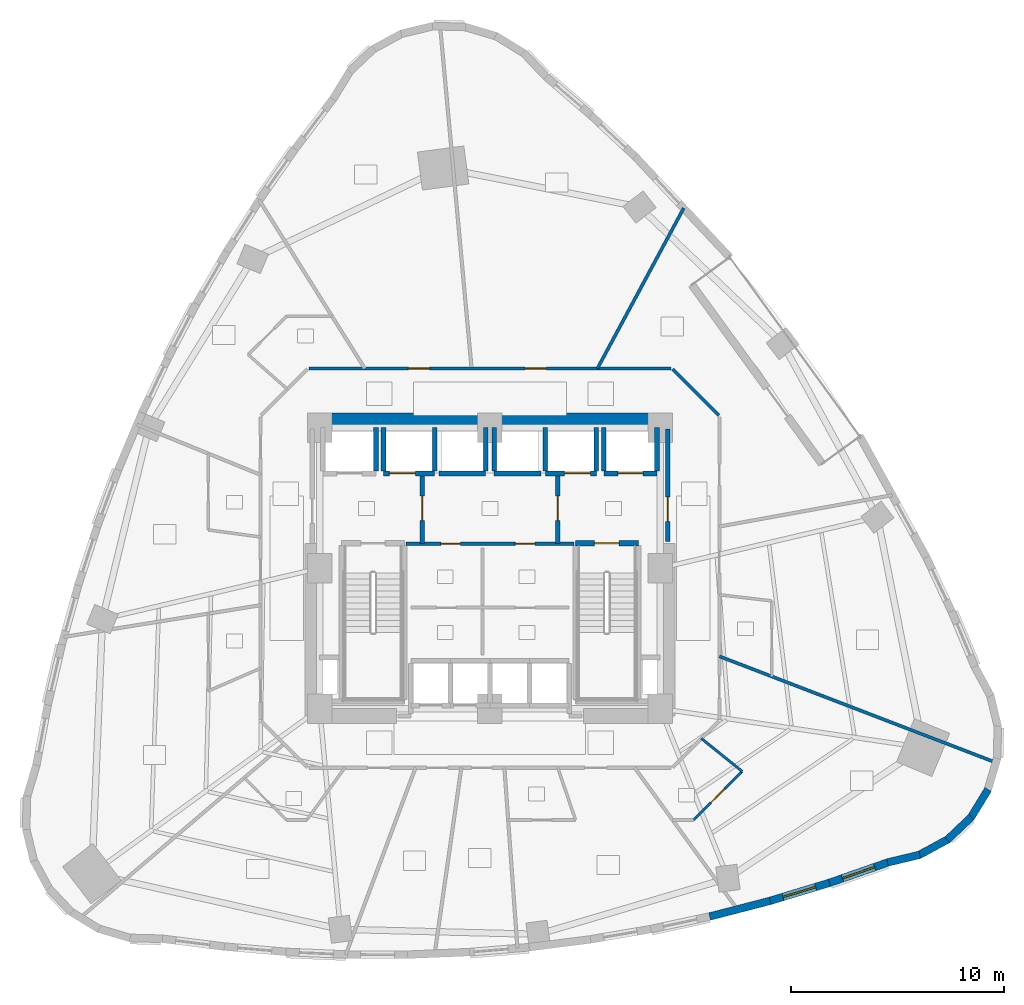
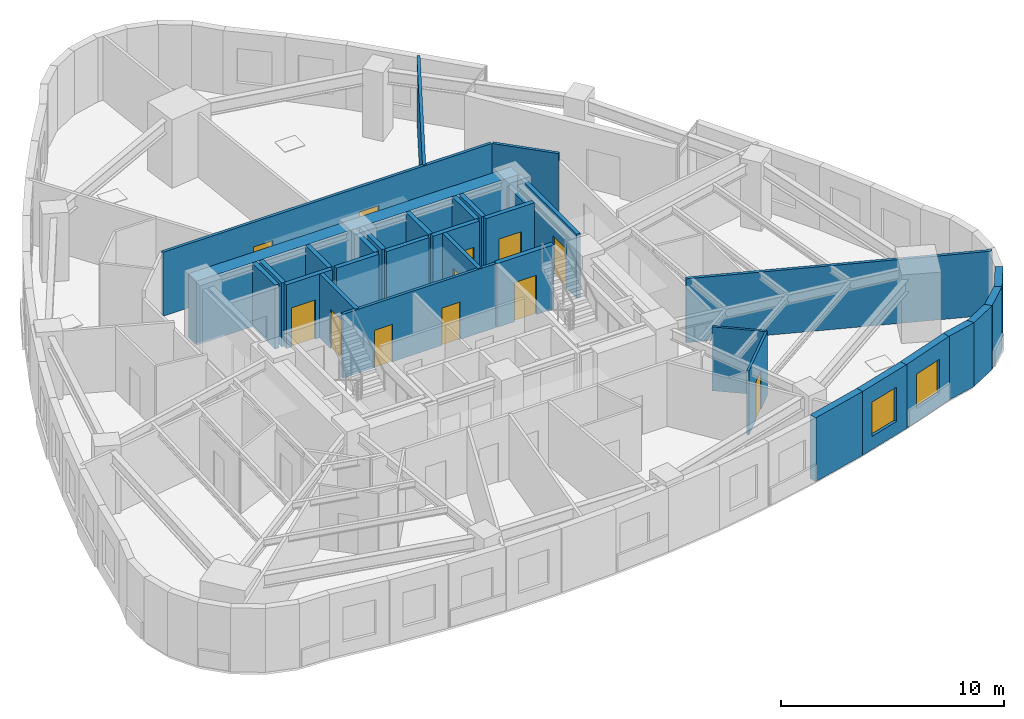
# One storey, part 10 of 15: 33 walls, 12 doors, 2 windows, 14 openings.
"""IFC4 building model written with IfcOpenShell, lengths in metres."""

from ifc_helpers import new_model, si_unit, direction, frame, frame_2d, origin, place, context, subcontext, project, spatial, rectangle, extrude, material, layer, layer_set, type_object, element, fill, save


model = new_model("IFC4")

# Units and contexts
model_context = context("Model", 3, precision=1e-05, world=origin(), true_north=direction((0.0, 1.0)))
body_context = subcontext(model_context, "Body", "Model", "MODEL_VIEW")
ifc_project = project(units=[si_unit("LENGTHUNIT", "METRE"), si_unit("AREAUNIT", "SQUARE_METRE"), si_unit("VOLUMEUNIT", "CUBIC_METRE"), si_unit("PLANEANGLEUNIT", "RADIAN"), si_unit("MASSUNIT", "GRAM", prefix="KILO")], contexts=[model_context])

# Site, building, storey
site_placement = place(None, origin())
site = spatial("IfcSite", under=ifc_project, at=site_placement, CompositionType="ELEMENT")
building_placement = place(site_placement, origin())
building = spatial("IfcBuilding", under=site, at=building_placement, Name="Ndelora Gate Hotel", CompositionType="ELEMENT")
storey_placement = place(building_placement, frame((0.0, 0.0, 53.0)))
storey = spatial("IfcBuildingStorey", under=building, at=storey_placement, Name="L12", CompositionType="ELEMENT", Elevation=53.0)

# Wall
ifc_material_1 = material(Name="Clay Brick Masonry", Category="masonry")
ifc_layer_1 = layer(ifc_material_1, 0.360107421875)
ifc_layer_set_1 = layer_set([ifc_layer_1], Name="Clay Brick Masonry")
wall_type_1 = type_object("IfcWallType", Name="WL-BRICK-360", PredefinedType="SOLIDWALL", material=ifc_layer_set_1)
wall_1_placement = place(storey_placement, frame((13.1669921875, -15.631591796875, 0.0), z_axis=(0.0, 0.0, 1.0), x_axis=(-0.968087209766, -0.250613555675, 0.0)))
element("IfcWall", 1, at=wall_1_placement, inside=storey, type_object=wall_type_1, Name="L12 Tower Brick Pier-and-Spandrel Wall TWR-38", PredefinedType="SOLIDWALL", context=body_context, shape_type="SweptSolid", body=[
    extrude(rectangle(XDim=2.94091796875, YDim=0.360107421875, at=frame_2d((1.470458984375, 0.0))), origin(), (0.0, 0.0, 1.0), 3.5),
])

# Wall, opening, window
wall_2_placement = place(storey_placement, frame((15.952392578125, -14.784912109375, 0.0), z_axis=(0.0, 0.0, 1.0), x_axis=(-0.956863387773, -0.290538219758, 0.0)))
wall_2 = element("IfcWall", 2, at=wall_2_placement, inside=storey, type_object=wall_type_1, Name="L12 Tower Brick Pier-and-Spandrel Wall TWR-39", PredefinedType="SOLIDWALL", context=body_context, shape_type="SweptSolid", body=[
    extrude(rectangle(XDim=2.961181640625, YDim=0.360107421875, at=frame_2d((1.48046875, 0.0))), origin(), (0.0, 0.0, 1.0), 3.5),
])
opening_1_placement = place(wall_2_placement, frame((0.6806640625, 0.0, 0.719970703125)))
opening_1 = element("IfcOpeningElement", 3, at=opening_1_placement, cuts=wall_2, Name="Opening W01", PredefinedType="OPENING", context=body_context, shape_type="SweptSolid", body=[
    extrude(rectangle(XDim=1.60009765625, YDim=1.8798828125, at=frame_2d((0.800048828125, 0.93994140625))), frame((0.0, 0.18994140625, 0.0), z_axis=(0.0, -1.0, 0.0), x_axis=(1.0, 0.0, 0.0)), (0.0, 0.0, 1.0), 0.380126953125),
])
ifc_material_2 = material(Name="Insulated Low-E Double Glazing in Bronze Aluminium Frame", Category="aluminium")
window_type = type_object("IfcWindowType", Name="WN-DEEP-1600", PartitioningType="SINGLE_PANEL", PredefinedType="WINDOW", material=ifc_material_2)
window_1_placement = place(opening_1_placement, origin())
window_1 = element("IfcWindow", 4, at=window_1_placement, inside=storey, type_object=window_type, Name="L12 Deep-Set Brick-Pier Window W01", OverallHeight=1.8798828125, OverallWidth=1.60009765625, PartitioningType="SINGLE_PANEL", PredefinedType="WINDOW", context=body_context, shape_type="SweptSolid", body=[
    extrude(rectangle(XDim=1.60009765625, YDim=1.8798828125, at=frame_2d((0.800048828125, 0.93994140625))), frame((0.0, 0.030029296875, 0.0), z_axis=(0.0, -1.0, 0.0), x_axis=(1.0, 0.0, 0.0)), (0.0, 0.0, 1.0), 0.06005859375),
])
fill(opening_1, window_1)

wall_3_placement = place(storey_placement, frame((18.72509765625, -13.816650390625, 0.0), z_axis=(0.0, 0.0, 1.0), x_axis=(-0.944210822491, -0.329341650404, 0.0)))
wall_3 = element("IfcWall", 5, at=wall_3_placement, inside=storey, type_object=wall_type_1, Name="L12 Tower Brick Pier-and-Spandrel Wall TWR-40", PredefinedType="SOLIDWALL", context=body_context, shape_type="SweptSolid", body=[
    extrude(rectangle(XDim=2.986572265625, YDim=0.360107421875, at=frame_2d((1.4931640625, 0.0))), origin(), (0.0, 0.0, 1.0), 3.5),
])
opening_2_placement = place(wall_3_placement, frame((0.693603515625, 0.0, 0.719970703125)))
opening_2 = element("IfcOpeningElement", 6, at=opening_2_placement, cuts=wall_3, Name="Opening W01", PredefinedType="OPENING", context=body_context, shape_type="SweptSolid", body=[
    extrude(rectangle(XDim=1.60009765625, YDim=1.8798828125, at=frame_2d((0.800048828125, 0.93994140625))), frame((0.0, 0.18994140625, 0.0), z_axis=(0.0, -1.0, 0.0), x_axis=(1.0, 0.0, 0.0)), (0.0, 0.0, 1.0), 0.380126953125),
])
window_2_placement = place(opening_2_placement, origin())
window_2 = element("IfcWindow", 7, at=window_2_placement, inside=storey, type_object=window_type, Name="L12 Deep-Set Brick-Pier Window W01", OverallHeight=1.8798828125, OverallWidth=1.60009765625, PartitioningType="SINGLE_PANEL", PredefinedType="WINDOW", context=body_context, shape_type="SweptSolid", body=[
    extrude(rectangle(XDim=1.60009765625, YDim=1.8798828125, at=frame_2d((0.800048828125, 0.93994140625))), frame((0.0, 0.030029296875, 0.0), z_axis=(0.0, -1.0, 0.0), x_axis=(1.0, 0.0, 0.0)), (0.0, 0.0, 1.0), 0.06005859375),
])
fill(opening_2, window_2)

# Walls
for number, where, z_axis, x_axis, name in (
    (8, (20.1982421875, -13.465576171875, 0.0), (0.0, 0.0, 1.0), (-0.972394385461, -0.233343435998, 0.0), "L12 Tower Brick Pier-and-Spandrel Wall TWR-41"),
    (9, (21.526611328125, -12.737060546875, 0.0), (0.0, 0.0, 1.0), (-0.87890765181, -0.476991970153, 0.0), "L12 Tower Brick Pier-and-Spandrel Wall TWR-42"),
):
    element("IfcWall", number, at=place(storey_placement, frame(where, z_axis=z_axis, x_axis=x_axis)), inside=storey, type_object=wall_type_1, Name=name, PredefinedType="SOLIDWALL", context=body_context, shape_type="SweptSolid", body=[
        extrude(rectangle(XDim=1.564208984375, YDim=0.360107421875, at=frame_2d((0.7822265625, 0.0))), origin(), (0.0, 0.0, 1.0), 3.5),
    ])
for number, where, z_axis, x_axis, name in (
    (10, (22.620849609375, -11.689453125, 0.0), (0.0, 0.0, 1.0), (-0.725361771345, -0.688367852729, 0.0), "L12 Tower Brick Pier-and-Spandrel Wall TWR-43"),
    (11, (23.406982421875, -10.394287109375, 0.0), (0.0, 0.0, 1.0), (-0.522598660144, -0.852578817714, 0.0), "L12 Tower Brick Pier-and-Spandrel Wall TWR-44"),
):
    element("IfcWall", number, at=place(storey_placement, frame(where, z_axis=z_axis, x_axis=x_axis)), inside=storey, type_object=wall_type_1, Name=name, PredefinedType="SOLIDWALL", context=body_context, shape_type="SweptSolid", body=[
        extrude(rectangle(XDim=1.56396484375, YDim=0.360107421875, at=frame_2d((0.781982421875, 0.0))), origin(), (0.0, 0.0, 1.0), 3.5),
    ])
ifc_material_3 = material(Name="Concrete C60/75", Category="concrete")
ifc_layer_2 = layer(ifc_material_3, 0.699951171875)
ifc_layer_set_2 = layer_set([ifc_layer_2], Name="Concrete C60/75")
wall_type_2 = type_object("IfcWallType", Name="WL-CORE-700", PredefinedType="SHEAR", material=ifc_layer_set_2)
wall_4_placement = place(storey_placement, frame((-8.35009765625, 6.949951171875, 0.0), z_axis=(0.0, 0.0, 1.0), x_axis=(1.0, 0.0, 0.0)))
element("IfcWall", 12, at=wall_4_placement, inside=storey, type_object=wall_type_2, Name="L12 Core Shear Wall N", PredefinedType="SHEAR", context=body_context, shape_type="SweptSolid", body=[
    extrude(rectangle(XDim=16.7001953125, YDim=0.699951171875, at=frame_2d((8.35009765625, 0.0))), origin(), (0.0, 0.0, 1.0), 3.5),
])

# Wall, opening, door
ifc_material_4 = material(Name="Concrete C40/50", Category="concrete")
ifc_layer_3 = layer(ifc_material_4, 0.199951171875)
ifc_layer_set_3 = layer_set([ifc_layer_3], Name="Concrete C40/50")
wall_type_3 = type_object("IfcWallType", Name="WL-FIRE-200", PredefinedType="PARTITIONING", material=ifc_layer_set_3)
wall_5_placement = place(storey_placement, frame((-3.179931640625, 1.14990234375, 0.0), z_axis=(0.0, 0.0, 1.0), x_axis=(0.0, 1.0, 0.0)))
wall_5 = element("IfcWall", 13, at=wall_5_placement, inside=storey, type_object=wall_type_3, Name="L12 Interior Wall IW-2", PredefinedType="PARTITIONING", context=body_context, shape_type="SweptSolid", body=[
    extrude(rectangle(XDim=3.300048828125, YDim=0.199951171875, at=frame_2d((1.64990234375, 0.0))), origin(), (0.0, 0.0, 1.0), 3.5),
])
opening_3_placement = place(wall_5_placement, frame((1.080078125, 0.0, 0.0)))
opening_3 = element("IfcOpeningElement", 14, at=opening_3_placement, cuts=wall_5, Name="Opening FD1", PredefinedType="OPENING", context=body_context, shape_type="SweptSolid", body=[
    extrude(rectangle(XDim=1.14990234375, YDim=2.14990234375, at=frame_2d((0.574951171875, 1.074951171875))), frame((0.0, 0.10986328125, 0.0), z_axis=(0.0, -1.0, 0.0), x_axis=(1.0, 0.0, 0.0)), (0.0, 0.0, 1.0), 0.219970703125),
])
ifc_material_5 = material(Name="Fire-Rated Timber-Veneer Steel Core", Category="steel")
door_type_1 = type_object("IfcDoorType", Name="DR-FD60", OperationType="SINGLE_SWING_LEFT", PredefinedType="DOOR", material=ifc_material_5)
door_1_placement = place(opening_3_placement, origin())
door_1 = element("IfcDoor", 15, at=door_1_placement, inside=storey, type_object=door_type_1, Name="L12 Firefighting Lobby West Door", OperationType="SINGLE_SWING_RIGHT", OverallHeight=2.14990234375, OverallWidth=1.14990234375, PredefinedType="DOOR", context=body_context, shape_type="SweptSolid", body=[
    extrude(rectangle(XDim=1.14990234375, YDim=2.14990234375, at=frame_2d((0.574951171875, 1.074951171875))), frame((0.0, 0.02490234375, 0.0), z_axis=(0.0, -1.0, 0.0), x_axis=(1.0, 0.0, 0.0)), (0.0, 0.0, 1.0), 0.050048828125),
])
fill(opening_3, door_1)

wall_6_placement = place(storey_placement, frame((3.179931640625, 1.14990234375, 0.0), z_axis=(0.0, 0.0, 1.0), x_axis=(0.0, 1.0, 0.0)))
wall_6 = element("IfcWall", 16, at=wall_6_placement, inside=storey, type_object=wall_type_3, Name="L12 Interior Wall IW-2", PredefinedType="PARTITIONING", context=body_context, shape_type="SweptSolid", body=[
    extrude(rectangle(XDim=3.300048828125, YDim=0.199951171875, at=frame_2d((1.64990234375, 0.0))), origin(), (0.0, 0.0, 1.0), 3.5),
])
opening_4_placement = place(wall_6_placement, frame((1.080078125, 0.0, 0.0)))
opening_4 = element("IfcOpeningElement", 17, at=opening_4_placement, cuts=wall_6, Name="Opening FD1", PredefinedType="OPENING", context=body_context, shape_type="SweptSolid", body=[
    extrude(rectangle(XDim=1.14990234375, YDim=2.14990234375, at=frame_2d((0.574951171875, 1.074951171875))), frame((0.0, 0.10986328125, 0.0), z_axis=(0.0, -1.0, 0.0), x_axis=(1.0, 0.0, 0.0)), (0.0, 0.0, 1.0), 0.219970703125),
])
door_2_placement = place(opening_4_placement, origin())
door_2 = element("IfcDoor", 18, at=door_2_placement, inside=storey, type_object=door_type_1, Name="L12 Firefighting Lobby East Door", OperationType="SINGLE_SWING_LEFT", OverallHeight=2.14990234375, OverallWidth=1.14990234375, PredefinedType="DOOR", context=body_context, shape_type="SweptSolid", body=[
    extrude(rectangle(XDim=1.14990234375, YDim=2.14990234375, at=frame_2d((0.574951171875, 1.074951171875))), frame((0.0, 0.02490234375, 0.0), z_axis=(0.0, -1.0, 0.0), x_axis=(1.0, 0.0, 0.0)), (0.0, 0.0, 1.0), 0.050048828125),
])
fill(opening_4, door_2)

wall_7_placement = place(storey_placement, frame((8.35009765625, 1.25, 0.0), z_axis=(0.0, 0.0, 1.0), x_axis=(0.0, 1.0, 0.0)))
wall_7 = element("IfcWall", 19, at=wall_7_placement, inside=storey, type_object=wall_type_3, Name="L12 Interior Wall IW-2", PredefinedType="PARTITIONING", context=body_context, shape_type="SweptSolid", body=[
    extrude(rectangle(XDim=5.300048828125, YDim=0.199951171875, at=frame_2d((2.64990234375, 0.0))), origin(), (0.0, 0.0, 1.0), 3.5),
])
opening_5_placement = place(wall_7_placement, frame((0.949951171875, 0.0, 0.0)))
opening_5 = element("IfcOpeningElement", 20, at=opening_5_placement, cuts=wall_7, Name="Opening FD1", PredefinedType="OPENING", context=body_context, shape_type="SweptSolid", body=[
    extrude(rectangle(XDim=1.14990234375, YDim=2.14990234375, at=frame_2d((0.574951171875, 1.074951171875))), frame((0.0, 0.10986328125, 0.0), z_axis=(0.0, -1.0, 0.0), x_axis=(1.0, 0.0, 0.0)), (0.0, 0.0, 1.0), 0.219970703125),
])
door_3_placement = place(opening_5_placement, origin())
door_3 = element("IfcDoor", 21, at=door_3_placement, inside=storey, type_object=door_type_1, Name="L12 Firefighting Lobby East Corridor Door", OperationType="SINGLE_SWING_RIGHT", OverallHeight=2.14990234375, OverallWidth=1.14990234375, PredefinedType="DOOR", context=body_context, shape_type="SweptSolid", body=[
    extrude(rectangle(XDim=1.14990234375, YDim=2.14990234375, at=frame_2d((0.574951171875, 1.074951171875))), frame((0.0, 0.02490234375, 0.0), z_axis=(0.0, -1.0, 0.0), x_axis=(1.0, 0.0, 0.0)), (0.0, 0.0, 1.0), 0.050048828125),
])
fill(opening_5, door_3)

# Wall, openings, doors
ifc_material_6 = material(Name="Fire-Rated Gypsum Stud Partition", Category="gypsum")
ifc_layer_4 = layer(ifc_material_6, 0.14990234375)
ifc_layer_set_4 = layer_set([ifc_layer_4], Name="Fire-Rated Gypsum Stud Partition")
wall_type_4 = type_object("IfcWallType", Name="WL-PART-150", PredefinedType="PARTITIONING", material=ifc_layer_set_4)
wall_8_placement = place(storey_placement, frame((3.949951171875, 1.14990234375, 0.0), z_axis=(0.0, 0.0, 1.0), x_axis=(-1.0, 0.0, 0.0)))
wall_8 = element("IfcWall", 22, at=wall_8_placement, inside=storey, type_object=wall_type_4, Name="L12 Interior Wall IW-5", PredefinedType="PARTITIONING", context=body_context, shape_type="SweptSolid", body=[
    extrude(rectangle(XDim=7.89990234375, YDim=0.14990234375, at=frame_2d((3.949951171875, 0.0))), origin(), (0.0, 0.0, 1.0), 3.5),
])
opening_6_placement = place(wall_8_placement, frame((5.340087890625, 0.0, 0.0)))
opening_6 = element("IfcOpeningElement", 23, at=opening_6_placement, cuts=wall_8, Name="Opening D04", PredefinedType="OPENING", context=body_context, shape_type="SweptSolid", body=[
    extrude(rectangle(XDim=0.919921875, YDim=2.050048828125, at=frame_2d((0.4599609375, 1.02490234375))), frame((0.0, 0.0849609375, 0.0), z_axis=(0.0, -1.0, 0.0), x_axis=(1.0, 0.0, 0.0)), (0.0, 0.0, 1.0), 0.169921875),
])
opening_7_placement = place(wall_8_placement, frame((1.840087890625, 0.0, 0.0)))
opening_7 = element("IfcOpeningElement", 24, at=opening_7_placement, cuts=wall_8, Name="Opening D04", PredefinedType="OPENING", context=body_context, shape_type="SweptSolid", body=[
    extrude(rectangle(XDim=0.919921875, YDim=2.050048828125, at=frame_2d((0.4599609375, 1.02490234375))), frame((0.0, 0.0849609375, 0.0), z_axis=(0.0, -1.0, 0.0), x_axis=(1.0, 0.0, 0.0)), (0.0, 0.0, 1.0), 0.169921875),
])
ifc_material_7 = material(Name="Painted Steel Core Service Door", Category="steel")
door_type_2 = type_object("IfcDoorType", Name="DR-SER-920", OperationType="SINGLE_SWING_LEFT", PredefinedType="DOOR", material=ifc_material_7)
door_4_placement = place(opening_6_placement, origin())
door_4 = element("IfcDoor", 25, at=door_4_placement, inside=storey, type_object=door_type_2, Name="L12 Core Electrical Closet Door", OperationType="SINGLE_SWING_LEFT", OverallHeight=2.050048828125, OverallWidth=0.919921875, PredefinedType="DOOR", context=body_context, shape_type="SweptSolid", body=[
    extrude(rectangle(XDim=0.919921875, YDim=2.050048828125, at=frame_2d((0.4599609375, 1.02490234375))), frame((0.0, 0.02490234375, 0.0), z_axis=(0.0, -1.0, 0.0), x_axis=(1.0, 0.0, 0.0)), (0.0, 0.0, 1.0), 0.050048828125),
])
fill(opening_6, door_4)
door_5_placement = place(opening_7_placement, origin())
door_5 = element("IfcDoor", 26, at=door_5_placement, inside=storey, type_object=door_type_2, Name="L12 Comms Patching Store Door", OperationType="SINGLE_SWING_RIGHT", OverallHeight=2.050048828125, OverallWidth=0.919921875, PredefinedType="DOOR", context=body_context, shape_type="SweptSolid", body=[
    extrude(rectangle(XDim=0.919921875, YDim=2.050048828125, at=frame_2d((0.4599609375, 1.02490234375))), frame((0.0, 0.02490234375, 0.0), z_axis=(0.0, -1.0, 0.0), x_axis=(1.0, 0.0, 0.0)), (0.0, 0.0, 1.0), 0.050048828125),
])
fill(opening_7, door_5)

# Wall
wall_9_placement = place(storey_placement, frame((8.578369140625, 9.351806640625, 0.0), z_axis=(0.0, 0.0, 1.0), x_axis=(0.707067066127, -0.707146494016, 0.0)))
element("IfcWall", 27, at=wall_9_placement, inside=storey, type_object=wall_type_4, Name="L12 Interior Wall IW-5", PredefinedType="PARTITIONING", context=body_context, shape_type="SweptSolid", body=[
    extrude(rectangle(XDim=3.07373046875, YDim=0.14990234375, at=frame_2d((1.536865234375, 0.0))), origin(), (0.0, 0.0, 1.0), 3.5),
])

# Wall, openings, doors
wall_10_placement = place(storey_placement, frame((-8.510009765625, 9.3798828125, 0.0), z_axis=(0.0, 0.0, 1.0), x_axis=(1.0, 0.0, 0.0)))
wall_10 = element("IfcWall", 28, at=wall_10_placement, inside=storey, type_object=wall_type_4, Name="L12 Interior Wall IW-5", PredefinedType="PARTITIONING", context=body_context, shape_type="SweptSolid", body=[
    extrude(rectangle(XDim=17.02001953125, YDim=0.14990234375, at=frame_2d((8.510009765625, 0.0))), origin(), (0.0, 0.0, 1.0), 3.5),
])
opening_8_placement = place(wall_10_placement, frame((4.673583984375, 0.0, 0.0)))
opening_8 = element("IfcOpeningElement", 29, at=opening_8_placement, cuts=wall_10, Name="Opening D01", PredefinedType="OPENING", context=body_context, shape_type="SweptSolid", body=[
    extrude(rectangle(XDim=1.0, YDim=2.14990234375, at=frame_2d((0.5, 1.074951171875))), frame((0.0, 0.0849609375, 0.0), z_axis=(0.0, -1.0, 0.0), x_axis=(1.0, 0.0, 0.0)), (0.0, 0.0, 1.0), 0.169921875),
])
opening_9_placement = place(wall_10_placement, frame((10.1630859375, 0.0, 0.0)))
opening_9 = element("IfcOpeningElement", 30, at=opening_9_placement, cuts=wall_10, Name="Opening D01", PredefinedType="OPENING", context=body_context, shape_type="SweptSolid", body=[
    extrude(rectangle(XDim=1.0, YDim=2.14990234375, at=frame_2d((0.5, 1.074951171875))), frame((0.0, 0.0849609375, 0.0), z_axis=(0.0, -1.0, 0.0), x_axis=(1.0, 0.0, 0.0)), (0.0, 0.0, 1.0), 0.169921875),
])
ifc_material_8 = material(Name="Acoustic Hardwood Guest Entrance Door", Category="wood")
door_type_3 = type_object("IfcDoorType", Name="DR-COR-1000", OperationType="SINGLE_SWING_LEFT", PredefinedType="DOOR", material=ifc_material_8)
door_6_placement = place(opening_8_placement, origin())
door_6 = element("IfcDoor", 31, at=door_6_placement, inside=storey, type_object=door_type_3, Name="L12 Catering Service Kitchen Entrance Door", OperationType="SINGLE_SWING_LEFT", OverallHeight=2.14990234375, OverallWidth=1.0, PredefinedType="DOOR", context=body_context, shape_type="SweptSolid", body=[
    extrude(rectangle(XDim=1.0, YDim=2.14990234375, at=frame_2d((0.5, 1.074951171875))), frame((0.0, 0.02490234375, 0.0), z_axis=(0.0, -1.0, 0.0), x_axis=(1.0, 0.0, 0.0)), (0.0, 0.0, 1.0), 0.050048828125),
])
fill(opening_8, door_6)
door_7_placement = place(opening_9_placement, origin())
door_7 = element("IfcDoor", 32, at=door_7_placement, inside=storey, type_object=door_type_3, Name="L12 Private Dining Room Entrance Door", OperationType="SINGLE_SWING_LEFT", OverallHeight=2.14990234375, OverallWidth=1.0, PredefinedType="DOOR", context=body_context, shape_type="SweptSolid", body=[
    extrude(rectangle(XDim=1.0, YDim=2.14990234375, at=frame_2d((0.5, 1.074951171875))), frame((0.0, 0.02490234375, 0.0), z_axis=(0.0, -1.0, 0.0), x_axis=(1.0, 0.0, 0.0)), (0.0, 0.0, 1.0), 0.050048828125),
])
fill(opening_9, door_7)

# Walls
wall_11_placement = place(storey_placement, frame((10.780029296875, -4.14208984375, 0.0), z_axis=(0.0, 0.0, 1.0), x_axis=(0.933466701783, -0.358664072166, 0.0)))
element("IfcWall", 33, at=wall_11_placement, inside=storey, type_object=wall_type_4, Name="L12 Interior Wall IW-5", PredefinedType="PARTITIONING", context=body_context, shape_type="SweptSolid", body=[
    extrude(rectangle(XDim=13.91943359375, YDim=0.14990234375, at=frame_2d((6.959716796875, 0.0))), origin(), (0.0, 0.0, 1.0), 3.5),
])
wall_12_placement = place(storey_placement, frame((5.047607421875, 9.3798828125, 0.0), z_axis=(0.0, 0.0, 1.0), x_axis=(0.473842892952, 0.880609398541, 0.0)))
element("IfcWall", 34, at=wall_12_placement, inside=storey, type_object=wall_type_4, Name="L12 Interior Wall IW-5", PredefinedType="PARTITIONING", context=body_context, shape_type="SweptSolid", body=[
    extrude(rectangle(XDim=8.55712890625, YDim=0.14990234375, at=frame_2d((4.278564453125, 0.0))), origin(), (0.0, 0.0, 1.0), 3.5),
])
ifc_layer_5 = layer(ifc_material_4, 0.219970703125)
ifc_layer_set_5 = layer_set([ifc_layer_5], Name="Concrete C40/50")
wall_type_5 = type_object("IfcWallType", Name="WL-SHAFT-220", PredefinedType="PARTITIONING", material=ifc_layer_set_5)
wall_13_placement = place(storey_placement, frame((-5.35009765625, 4.570068359375, 0.0), z_axis=(0.0, 0.0, 1.0), x_axis=(0.0, 1.0, 0.0)))
element("IfcWall", 35, at=wall_13_placement, inside=storey, type_object=wall_type_5, Name="L12 Interior Wall IW-1", PredefinedType="PARTITIONING", context=body_context, shape_type="SweptSolid", body=[
    extrude(rectangle(XDim=2.030029296875, YDim=0.219970703125, at=frame_2d((1.01513671875, 0.0))), origin(), (0.0, 0.0, 1.0), 3.5),
])

# Wall, opening, door
wall_14_placement = place(storey_placement, frame((5.35009765625, 4.449951171875, 0.0), z_axis=(0.0, 0.0, 1.0), x_axis=(1.0, 0.0, 0.0)))
wall_14 = element("IfcWall", 36, at=wall_14_placement, inside=storey, type_object=wall_type_5, Name="L12 Interior Wall IW-1", PredefinedType="PARTITIONING", context=body_context, shape_type="SweptSolid", body=[
    extrude(rectangle(XDim=2.5, YDim=0.219970703125, at=frame_2d((1.25, 0.0))), origin(), (0.0, 0.0, 1.0), 3.5),
])
opening_10_placement = place(wall_14_placement, frame((0.659912109375, 0.0, 0.0)))
opening_10 = element("IfcOpeningElement", 37, at=opening_10_placement, cuts=wall_14, Name="Opening LD5", PredefinedType="OPENING", context=body_context, shape_type="SweptSolid", body=[
    extrude(rectangle(XDim=1.179931640625, YDim=2.14990234375, at=frame_2d((0.58984375, 1.074951171875))), frame((0.0, 0.1201171875, 0.0), z_axis=(0.0, -1.0, 0.0), x_axis=(1.0, 0.0, 0.0)), (0.0, 0.0, 1.0), 0.239990234375),
])
ifc_material_9 = material(Name="Firefighting Lift Stainless Sliding Landing Door", Category="metal")
door_type_4 = type_object("IfcDoorType", Name="DR-LD5", OperationType="DOUBLE_DOOR_SLIDING", PredefinedType="DOOR", material=ifc_material_9)
door_8_placement = place(opening_10_placement, origin())
door_8 = element("IfcDoor", 38, at=door_8_placement, inside=storey, type_object=door_type_4, Name="L12 Lift Landing Sliding Door FFL2", OperationType="DOUBLE_DOOR_SLIDING", OverallHeight=2.14990234375, OverallWidth=1.179931640625, PredefinedType="DOOR", context=body_context, shape_type="SweptSolid", body=[
    extrude(rectangle(XDim=1.179931640625, YDim=2.14990234375, at=frame_2d((0.58984375, 1.074951171875))), frame((0.0, 0.02490234375, 0.0), z_axis=(0.0, -1.0, 0.0), x_axis=(1.0, 0.0, 0.0)), (0.0, 0.0, 1.0), 0.050048828125),
])
fill(opening_10, door_8)

# Walls
wall_15_placement = place(storey_placement, frame((5.35009765625, 4.570068359375, 0.0), z_axis=(0.0, 0.0, 1.0), x_axis=(0.0, 1.0, 0.0)))
element("IfcWall", 39, at=wall_15_placement, inside=storey, type_object=wall_type_5, Name="L12 Interior Wall IW-1", PredefinedType="PARTITIONING", context=body_context, shape_type="SweptSolid", body=[
    extrude(rectangle(XDim=2.030029296875, YDim=0.219970703125, at=frame_2d((1.01513671875, 0.0))), origin(), (0.0, 0.0, 1.0), 3.5),
])
wall_16_placement = place(storey_placement, frame((7.85009765625, 4.570068359375, 0.0), z_axis=(0.0, 0.0, 1.0), x_axis=(0.0, 1.0, 0.0)))
element("IfcWall", 40, at=wall_16_placement, inside=storey, type_object=wall_type_5, Name="L12 Interior Wall IW-1", PredefinedType="PARTITIONING", context=body_context, shape_type="SweptSolid", body=[
    extrude(rectangle(XDim=2.030029296875, YDim=0.219970703125, at=frame_2d((1.01513671875, 0.0))), origin(), (0.0, 0.0, 1.0), 3.080078125),
])

# Wall, opening, door
wall_17_placement = place(storey_placement, frame((-5.0, 4.449951171875, 0.0), z_axis=(0.0, 0.0, 1.0), x_axis=(1.0, 0.0, 0.0)))
wall_17 = element("IfcWall", 41, at=wall_17_placement, inside=storey, type_object=wall_type_5, Name="L12 Interior Wall IW-1", PredefinedType="PARTITIONING", context=body_context, shape_type="SweptSolid", body=[
    extrude(rectangle(XDim=2.39990234375, YDim=0.219970703125, at=frame_2d((1.199951171875, 0.0))), origin(), (0.0, 0.0, 1.0), 3.5),
])
opening_11_placement = place(wall_17_placement, frame((0.280029296875, 0.0, 0.0)))
opening_11 = element("IfcOpeningElement", 42, at=opening_11_placement, cuts=wall_17, Name="Opening LD6", PredefinedType="OPENING", context=body_context, shape_type="SweptSolid", body=[
    extrude(rectangle(XDim=1.219970703125, YDim=2.14990234375, at=frame_2d((0.60986328125, 1.074951171875))), frame((0.0, 0.1201171875, 0.0), z_axis=(0.0, -1.0, 0.0), x_axis=(1.0, 0.0, 0.0)), (0.0, 0.0, 1.0), 0.239990234375),
])
ifc_material_10 = material(Name="Heavy-Duty Service Lift Sliding Landing Door", Category="wood")
door_type_5 = type_object("IfcDoorType", Name="DR-LD6", OperationType="DOUBLE_DOOR_SLIDING", PredefinedType="DOOR", material=ifc_material_10)
door_9_placement = place(opening_11_placement, origin())
door_9 = element("IfcDoor", 43, at=door_9_placement, inside=storey, type_object=door_type_5, Name="L12 Lift Landing Sliding Door SVL1", OperationType="DOUBLE_DOOR_SLIDING", OverallHeight=2.14990234375, OverallWidth=1.219970703125, PredefinedType="DOOR", context=body_context, shape_type="SweptSolid", body=[
    extrude(rectangle(XDim=1.219970703125, YDim=2.14990234375, at=frame_2d((0.60986328125, 1.074951171875))), frame((0.0, 0.02490234375, 0.0), z_axis=(0.0, -1.0, 0.0), x_axis=(1.0, 0.0, 0.0)), (0.0, 0.0, 1.0), 0.050048828125),
])
fill(opening_11, door_9)

# Walls
for number, where, z_axis, x_axis, name in (
    (44, (-5.0, 4.570068359375, 0.0), (0.0, 0.0, 1.0), (0.0, 1.0, 0.0), "L12 Interior Wall IW-1"),
    (45, (-2.60009765625, 4.570068359375, 0.0), (0.0, 0.0, 1.0), (0.0, 1.0, 0.0), "L12 Interior Wall IW-1"),
):
    element("IfcWall", number, at=place(storey_placement, frame(where, z_axis=z_axis, x_axis=x_axis)), inside=storey, type_object=wall_type_5, Name=name, PredefinedType="PARTITIONING", context=body_context, shape_type="SweptSolid", body=[
        extrude(rectangle(XDim=2.030029296875, YDim=0.219970703125, at=frame_2d((1.01513671875, 0.0))), origin(), (0.0, 0.0, 1.0), 3.5),
    ])

# Wall, opening, door
wall_18_placement = place(storey_placement, frame((2.60009765625, 4.449951171875, 0.0), z_axis=(0.0, 0.0, 1.0), x_axis=(1.0, 0.0, 0.0)))
wall_18 = element("IfcWall", 46, at=wall_18_placement, inside=storey, type_object=wall_type_5, Name="L12 Interior Wall IW-1", PredefinedType="PARTITIONING", context=body_context, shape_type="SweptSolid", body=[
    extrude(rectangle(XDim=2.39990234375, YDim=0.219970703125, at=frame_2d((1.199951171875, 0.0))), origin(), (0.0, 0.0, 1.0), 3.5),
])
opening_12_placement = place(wall_18_placement, frame((0.89990234375, 0.0, 0.0)))
opening_12 = element("IfcOpeningElement", 47, at=opening_12_placement, cuts=wall_18, Name="Opening LD6", PredefinedType="OPENING", context=body_context, shape_type="SweptSolid", body=[
    extrude(rectangle(XDim=1.219970703125, YDim=2.14990234375, at=frame_2d((0.60986328125, 1.074951171875))), frame((0.0, 0.1201171875, 0.0), z_axis=(0.0, -1.0, 0.0), x_axis=(1.0, 0.0, 0.0)), (0.0, 0.0, 1.0), 0.239990234375),
])
door_10_placement = place(opening_12_placement, origin())
door_10 = element("IfcDoor", 48, at=door_10_placement, inside=storey, type_object=door_type_5, Name="L12 Lift Landing Sliding Door SVL2", OperationType="DOUBLE_DOOR_SLIDING", OverallHeight=2.14990234375, OverallWidth=1.219970703125, PredefinedType="DOOR", context=body_context, shape_type="SweptSolid", body=[
    extrude(rectangle(XDim=1.219970703125, YDim=2.14990234375, at=frame_2d((0.60986328125, 1.074951171875))), frame((0.0, 0.02490234375, 0.0), z_axis=(0.0, -1.0, 0.0), x_axis=(1.0, 0.0, 0.0)), (0.0, 0.0, 1.0), 0.050048828125),
])
fill(opening_12, door_10)

# Walls
for number, where, z_axis, x_axis, name in (
    (49, (2.60009765625, 4.570068359375, 0.0), (0.0, 0.0, 1.0), (0.0, 1.0, 0.0), "L12 Interior Wall IW-1"),
    (50, (5.0, 4.570068359375, 0.0), (0.0, 0.0, 1.0), (0.0, 1.0, 0.0), "L12 Interior Wall IW-1"),
):
    element("IfcWall", number, at=place(storey_placement, frame(where, z_axis=z_axis, x_axis=x_axis)), inside=storey, type_object=wall_type_5, Name=name, PredefinedType="PARTITIONING", context=body_context, shape_type="SweptSolid", body=[
        extrude(rectangle(XDim=2.030029296875, YDim=0.219970703125, at=frame_2d((1.01513671875, 0.0))), origin(), (0.0, 0.0, 1.0), 3.5),
    ])
wall_19_placement = place(storey_placement, frame((-2.39990234375, 4.449951171875, 0.0), z_axis=(0.0, 0.0, 1.0), x_axis=(1.0, 0.0, 0.0)))
element("IfcWall", 51, at=wall_19_placement, inside=storey, type_object=wall_type_5, Name="L12 Interior Wall IW-1", PredefinedType="PARTITIONING", context=body_context, shape_type="SweptSolid", body=[
    extrude(rectangle(XDim=2.199951171875, YDim=0.219970703125, at=frame_2d((1.10009765625, 0.0))), origin(), (0.0, 0.0, 1.0), 3.5),
])
wall_20_placement = place(storey_placement, frame((-0.199951171875, 4.570068359375, 0.0), z_axis=(0.0, 0.0, 1.0), x_axis=(0.0, 1.0, 0.0)))
element("IfcWall", 52, at=wall_20_placement, inside=storey, type_object=wall_type_5, Name="L12 Interior Wall IW-1", PredefinedType="PARTITIONING", context=body_context, shape_type="SweptSolid", body=[
    extrude(rectangle(XDim=2.030029296875, YDim=0.219970703125, at=frame_2d((1.01513671875, 0.0))), origin(), (0.0, 0.0, 1.0), 3.5),
])
wall_21_placement = place(storey_placement, frame((0.199951171875, 4.449951171875, 0.0), z_axis=(0.0, 0.0, 1.0), x_axis=(1.0, 0.0, 0.0)))
element("IfcWall", 53, at=wall_21_placement, inside=storey, type_object=wall_type_5, Name="L12 Interior Wall IW-1", PredefinedType="PARTITIONING", context=body_context, shape_type="SweptSolid", body=[
    extrude(rectangle(XDim=2.199951171875, YDim=0.219970703125, at=frame_2d((1.10009765625, 0.0))), origin(), (0.0, 0.0, 1.0), 3.5),
])
wall_22_placement = place(storey_placement, frame((0.199951171875, 4.570068359375, 0.0), z_axis=(0.0, 0.0, 1.0), x_axis=(0.0, 1.0, 0.0)))
element("IfcWall", 54, at=wall_22_placement, inside=storey, type_object=wall_type_5, Name="L12 Interior Wall IW-1", PredefinedType="PARTITIONING", context=body_context, shape_type="SweptSolid", body=[
    extrude(rectangle(XDim=2.030029296875, YDim=0.219970703125, at=frame_2d((1.01513671875, 0.0))), origin(), (0.0, 0.0, 1.0), 3.5),
])

# Wall, opening, door
ifc_material_11 = material(Name="Concrete C50/60", Category="concrete")
ifc_layer_6 = layer(ifc_material_11, 0.239990234375)
ifc_layer_set_6 = layer_set([ifc_layer_6], Name="Concrete C50/60")
wall_type_6 = type_object("IfcWallType", Name="WL-STAIR-240", PredefinedType="SHEAR", material=ifc_layer_set_6)
wall_23_placement = place(storey_placement, frame((4.010009765625, 1.169921875, 0.0), z_axis=(0.0, 0.0, 1.0), x_axis=(1.0, 0.0, 0.0)))
wall_23 = element("IfcWall", 55, at=wall_23_placement, inside=storey, type_object=wall_type_6, Name="L12 Stair Core Shear Wall SW-ST", PredefinedType="SHEAR", context=body_context, shape_type="SweptSolid", body=[
    extrude(rectangle(XDim=2.9599609375, YDim=0.239990234375, at=frame_2d((1.47998046875, 0.0))), origin(), (0.0, 0.0, 1.0), 3.5),
])
opening_13_placement = place(wall_23_placement, frame((0.89990234375, 0.0, 0.0)))
opening_13 = element("IfcOpeningElement", 56, at=opening_13_placement, cuts=wall_23, Name="Opening FD1", PredefinedType="OPENING", context=body_context, shape_type="SweptSolid", body=[
    extrude(rectangle(XDim=1.14990234375, YDim=2.14990234375, at=frame_2d((0.574951171875, 1.074951171875))), frame((0.0, 0.1298828125, 0.0), z_axis=(0.0, -1.0, 0.0), x_axis=(1.0, 0.0, 0.0)), (0.0, 0.0, 1.0), 0.260009765625),
])
door_11_placement = place(opening_13_placement, origin())
door_11 = element("IfcDoor", 57, at=door_11_placement, inside=storey, type_object=door_type_1, Name="L12 Exit Stair ST5 Door", OperationType="SINGLE_SWING_RIGHT", OverallHeight=2.14990234375, OverallWidth=1.14990234375, PredefinedType="DOOR", context=body_context, shape_type="SweptSolid", body=[
    extrude(rectangle(XDim=1.14990234375, YDim=2.14990234375, at=frame_2d((0.574951171875, 1.074951171875))), frame((0.0, 0.02490234375, 0.0), z_axis=(0.0, -1.0, 0.0), x_axis=(1.0, 0.0, 0.0)), (0.0, 0.0, 1.0), 0.050048828125),
])
fill(opening_13, door_11)

# Wall
ifc_material_12 = material(Name="Moisture-Resistant Bathroom Tile Partition", Category="gypsum")
ifc_layer_7 = layer(ifc_material_12, 0.1201171875)
ifc_layer_set_7 = layer_set([ifc_layer_7], Name="Moisture-Resistant Bathroom Tile Partition")
wall_type_7 = type_object("IfcWallType", Name="WL-WET-120", PredefinedType="PARTITIONING", material=ifc_layer_set_7)
wall_24_placement = place(storey_placement, frame((9.93017578125, -8.0, 0.0), z_axis=(0.0, 0.0, 1.0), x_axis=(0.778737774775, -0.627349566142, 0.0)))
element("IfcWall", 58, at=wall_24_placement, inside=storey, type_object=wall_type_7, Name="L12 Interior Wall IW-7", PredefinedType="PARTITIONING", context=body_context, shape_type="SweptSolid", body=[
    extrude(rectangle(XDim=2.464111328125, YDim=0.1201171875, at=frame_2d((1.23193359375, 0.0))), origin(), (0.0, 0.0, 1.0), 3.5),
])

# Wall, opening, door
wall_25_placement = place(storey_placement, frame((11.84912109375, -9.5458984375, 0.0), z_axis=(0.0, 0.0, 1.0), x_axis=(-0.707144567105, -0.707068993249, 0.0)))
wall_25 = element("IfcWall", 59, at=wall_25_placement, inside=storey, type_object=wall_type_7, Name="L12 Interior Wall IW-7", PredefinedType="PARTITIONING", context=body_context, shape_type="SweptSolid", body=[
    extrude(rectangle(XDim=3.23046875, YDim=0.1201171875, at=frame_2d((1.615234375, 0.0))), origin(), (0.0, 0.0, 1.0), 3.5),
])
opening_14_placement = place(wall_25_placement, frame((1.1552734375, 0.0, 0.0)))
opening_14 = element("IfcOpeningElement", 60, at=opening_14_placement, cuts=wall_25, Name="Opening D03", PredefinedType="OPENING", context=body_context, shape_type="SweptSolid", body=[
    extrude(rectangle(XDim=0.919921875, YDim=2.10009765625, at=frame_2d((0.4599609375, 1.050048828125))), frame((0.0, 0.070068359375, 0.0), z_axis=(0.0, -1.0, 0.0), x_axis=(1.0, 0.0, 0.0)), (0.0, 0.0, 1.0), 0.14013671875),
])
ifc_material_13 = material(Name="Moisture-Resistant Hardwood En-Suite Door", Category="wood")
door_type_6 = type_object("IfcDoorType", Name="DR-BATH-920", OperationType="SINGLE_SWING_LEFT", PredefinedType="DOOR", material=ifc_material_13)
door_12_placement = place(opening_14_placement, origin())
door_12 = element("IfcDoor", 61, at=door_12_placement, inside=storey, type_object=door_type_6, Name="L12 En-suite Bathroom 1502 Door", OperationType="SINGLE_SWING_LEFT", OverallHeight=2.10009765625, OverallWidth=0.919921875, PredefinedType="DOOR", context=body_context, shape_type="SweptSolid", body=[
    extrude(rectangle(XDim=0.919921875, YDim=2.10009765625, at=frame_2d((0.4599609375, 1.050048828125))), frame((0.0, 0.02490234375, 0.0), z_axis=(0.0, -1.0, 0.0), x_axis=(1.0, 0.0, 0.0)), (0.0, 0.0, 1.0), 0.050048828125),
])
fill(opening_14, door_12)

save(model, "model.ifc")
